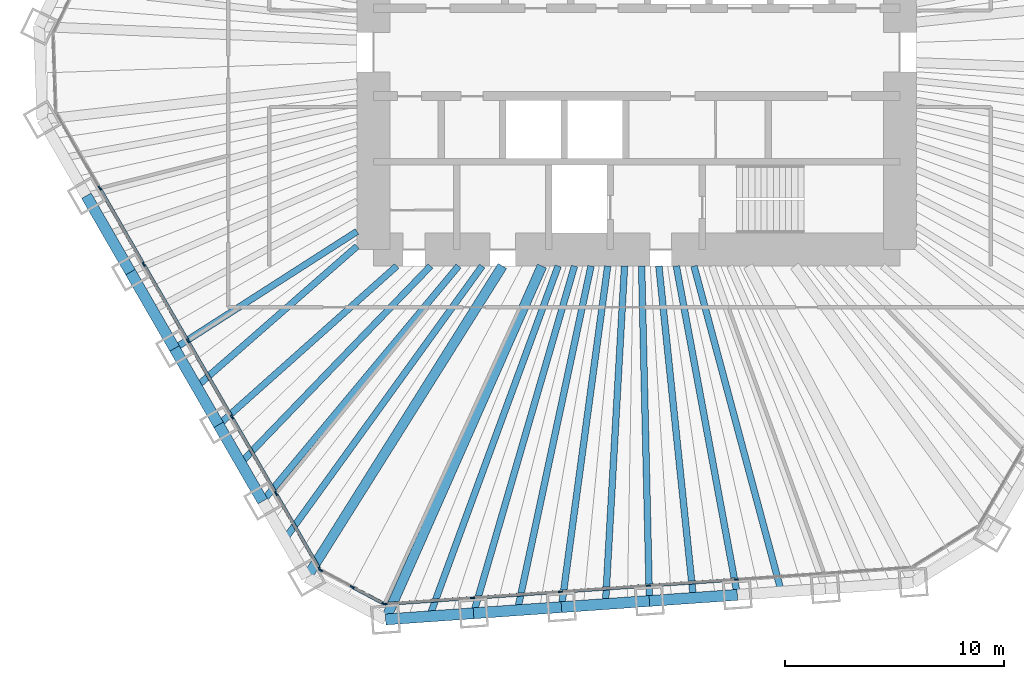
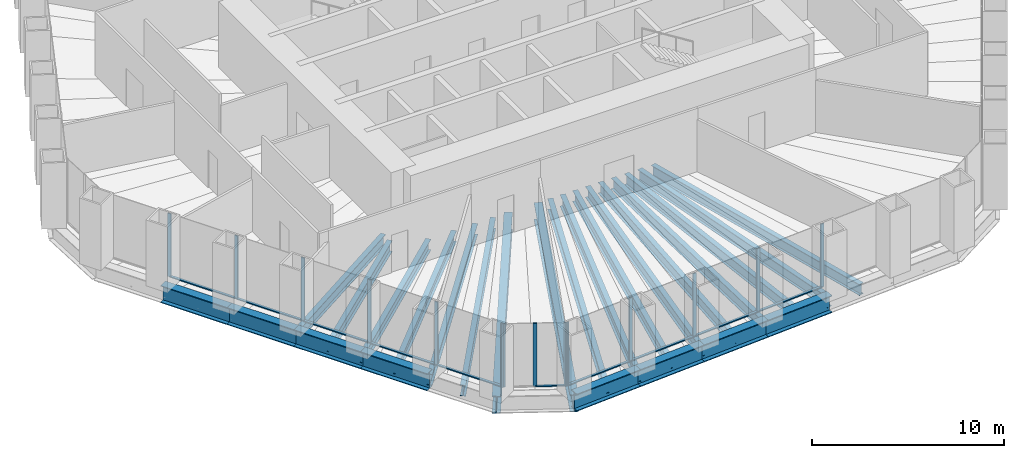
# One storey, part 2 of 13: 25 beams, 24 members, 3 elements without a shape of their own.
"""IFC4 building model written with IfcOpenShell, lengths in metres."""

import ifcopenshell
import ifcopenshell.guid

model = None  # the IFC model being written
_history = None  # IfcOwnerHistory: only IFC2X3 demands one
_inside = {}  # id of a spatial element -> (the spatial element, [elements in it])
_under = {}  # id of a project, library or spatial element -> (it, [spatial elements below it])
_declared = {}  # id of a project -> (the project, [libraries it declares])
_typed = {}  # id of a type object -> (the type object, [elements of that type])
_made_of = {}  # id of a material, layer set ... -> (it, [elements and type objects made of it])


def new_model(schema):
    """Start an empty IFC model of exactly this schema.

    Asked for "IFC4X3", IfcOpenShell would pick the latest addendum, in which some entities
    have other attributes; the version numbers below select the first issue.
    IFC2X3 requires an IfcOwnerHistory on every rooted entity: one is made here for all.
    """
    global model, _history
    if schema == "IFC4X3":
        model = ifcopenshell.file(schema_version=(4, 3, 0, 0))
    else:
        model = ifcopenshell.file(schema=schema)
    _inside.clear()
    _under.clear()
    _declared.clear()
    _typed.clear()
    _made_of.clear()
    _history = None
    if model.schema == "IFC2X3":
        org = make("IfcOrganization", Name="unknown")
        user = make(
            "IfcPersonAndOrganization",
            ThePerson=make("IfcPerson", FamilyName="unknown"),
            TheOrganization=org,
        )
        app = make(
            "IfcApplication",
            ApplicationDeveloper=org,
            Version="unknown",
            ApplicationFullName="unknown",
            ApplicationIdentifier="unknown",
        )
        _history = make(
            "IfcOwnerHistory",
            OwningUser=user,
            OwningApplication=app,
            ChangeAction="ADDED",
            CreationDate=0,
        )
    return model


def make(cls, **values):
    """One entity of the class cls with the attributes given. An attribute that is None is left unset."""
    return model.create_entity(
        cls, **{name: value for name, value in values.items() if value is not None}
    )


def rooted(cls, **values):
    """An entity with a GlobalId (a new one), such as an element, a storey or a relation."""
    return make(cls, GlobalId=ifcopenshell.guid.new(), OwnerHistory=_history, **values)


def si_unit(unit_type, name, prefix=None):
    """IfcSIUnit, for example si_unit("LENGTHUNIT", "METRE", prefix="MILLI")."""
    return make("IfcSIUnit", UnitType=unit_type, Prefix=prefix, Name=name)


def assignment(units):
    """IfcUnitAssignment: the units of a project."""
    return None if units is None else make("IfcUnitAssignment", Units=units)


def point(xyz):
    """IfcCartesianPoint."""
    return None if xyz is None else make("IfcCartesianPoint", Coordinates=xyz)


def direction(xyz):
    """IfcDirection."""
    return None if xyz is None else make("IfcDirection", DirectionRatios=xyz)


def frame(location, z_axis=None, x_axis=None):
    """IfcAxis2Placement3D, a coordinate frame: its origin and axes. An axis left out is left unset."""
    return make(
        "IfcAxis2Placement3D",
        Location=point(location),
        Axis=direction(z_axis),
        RefDirection=direction(x_axis),
    )


def frame_2d(location, x_axis=None):
    """IfcAxis2Placement2D, a coordinate frame in the plane: its origin and x axis."""
    return make(
        "IfcAxis2Placement2D", Location=point(location), RefDirection=direction(x_axis)
    )


def origin():
    """The frame at (0, 0, 0) with its axes left unset."""
    return frame((0.0, 0.0, 0.0))


def origin_2d():
    """The frame at (0, 0) in the plane with its x axis left unset."""
    return frame_2d((0.0, 0.0))


def place(relative_to, where):
    """IfcLocalPlacement: puts the frame where relative to a parent placement (None: the world)."""
    return make(
        "IfcLocalPlacement", PlacementRelTo=relative_to, RelativePlacement=where
    )


def context(
    kind, dimensions, precision=None, world=None, true_north=None, identifier=None
):
    """IfcGeometricRepresentationContext, for example the 3D "Model" context."""
    return make(
        "IfcGeometricRepresentationContext",
        ContextIdentifier=identifier,
        ContextType=kind,
        CoordinateSpaceDimension=dimensions,
        Precision=precision,
        WorldCoordinateSystem=world,
        TrueNorth=true_north,
    )


def subcontext(parent, identifier, kind, view, scale=None):
    """IfcGeometricRepresentationSubContext, for example "Body" below "Model"."""
    return make(
        "IfcGeometricRepresentationSubContext",
        ContextIdentifier=identifier,
        ContextType=kind,
        ParentContext=parent,
        TargetScale=scale,
        TargetView=view,
    )


def project(units=None, contexts=None):
    """IfcProject with its units and contexts."""
    return rooted(
        "IfcProject",
        Name="project",
        RepresentationContexts=contexts,
        UnitsInContext=assignment(units),
    )


def spatial(cls, under=None, at=None, **own):
    """A site, building, storey or space (cls), placed at a placement, below another one or the project."""
    s = rooted(cls, ObjectPlacement=at, **own)
    if under is not None:
        _under.setdefault(under.id(), (under, []))[1].append(s)
    return s


def profile(cls, at=None, kind="AREA", **sizes):
    """A parametric profile (cls). Its sizes go by their IFC names, for example OverallWidth=200.0."""
    return make(cls, ProfileType=kind, Position=at, **sizes)


def rectangle(**sizes):
    """IfcRectangleProfileDef."""
    return profile("IfcRectangleProfileDef", **sizes)


def i_section(**sizes):
    """IfcIShapeProfileDef."""
    return profile("IfcIShapeProfileDef", **sizes)


def extrude(swept, where, along, depth):
    """IfcExtrudedAreaSolid: the profile swept, set in the frame where, extruded along a direction by depth."""
    return make(
        "IfcExtrudedAreaSolid",
        SweptArea=swept,
        Position=where,
        ExtrudedDirection=direction(along),
        Depth=depth,
    )


def shape(context_of_items, identifier, shape_type, items):
    """IfcShapeRepresentation: the items that make up one representation, for example the "Body"."""
    return make(
        "IfcShapeRepresentation",
        ContextOfItems=context_of_items,
        RepresentationIdentifier=identifier,
        RepresentationType=shape_type,
        Items=items,
    )


def material(Name=None, Category=None):
    """IfcMaterial."""
    return make("IfcMaterial", Name=Name, Category=Category)


def material_profile(
    of_material, cross_section, Name=None, Category=None, Priority=None
):
    """IfcMaterialProfile: a cross section and its material."""
    return make(
        "IfcMaterialProfile",
        Name=Name,
        Material=of_material,
        Profile=cross_section,
        Priority=Priority,
        Category=Category,
    )


def profile_set(profiles, Name=None, composite=None):
    """IfcMaterialProfileSet."""
    return make(
        "IfcMaterialProfileSet",
        Name=Name,
        MaterialProfiles=profiles,
        CompositeProfile=composite,
    )


def made_of(thing, what):
    """Note that an element or type object is made of a material, layer set ...; save() writes the relation."""
    if what is not None:
        _made_of.setdefault(what.id(), (what, []))[1].append(thing)
    return thing


def type_object(cls, material=None, **own):
    """A type object (cls), such as IfcWallType, which elements share."""
    return made_of(rooted(cls, **own), material)


def element(
    cls,
    number,
    at=None,
    inside=None,
    cuts=None,
    type_object=None,
    material=None,
    context=None,
    identifier="Body",
    shape_type=None,
    held_by="IfcProductDefinitionShape",
    body=None,
    shapes=None,
    **own,
):
    """One element of the class cls, such as IfcWall. Its Tag is "e" and its number.

    at: its placement. inside: the storey or other place that contains it. cuts: it is an
    opening in that element (IfcRelVoidsElement). A single representation is given by context,
    identifier, shape_type and body (its items); several are given by shapes. held_by: the class
    of the entity that holds the representations. save() writes the other relations.
    """
    e = rooted(cls, Tag="e%d" % number, ObjectPlacement=at, **own)
    if body is not None:
        shapes = [shape(context, identifier, shape_type, body)]
    if shapes is not None:
        e.Representation = make(held_by, Representations=shapes)
    if inside is not None:
        _inside.setdefault(inside.id(), (inside, []))[1].append(e)
    if cuts is not None:
        rooted(
            "IfcRelVoidsElement", RelatingBuildingElement=cuts, RelatedOpeningElement=e
        )
    if type_object is not None:
        _typed.setdefault(type_object.id(), (type_object, []))[1].append(e)
    return made_of(e, material)


def aggregate(whole, parts):
    """IfcRelAggregates: a whole, such as a stair, and the parts it consists of."""
    return rooted("IfcRelAggregates", RelatingObject=whole, RelatedObjects=parts)


def save(model, path):
    """Write the relations noted so far, then the file.

    IfcRelAggregates (storeys below a building ...), IfcRelContainedInSpatialStructure (elements
    in a storey), IfcRelDefinesByType, IfcRelAssociatesMaterial and IfcRelDeclares: one each for
    every whole, place, type object, material and project.
    """
    for whole, parts in _under.values():
        aggregate(whole, parts)
    for where, things in _inside.values():
        rooted(
            "IfcRelContainedInSpatialStructure",
            RelatedElements=things,
            RelatingStructure=where,
        )
    for kind, things in _typed.values():
        rooted("IfcRelDefinesByType", RelatedObjects=things, RelatingType=kind)
    for what, things in _made_of.values():
        rooted("IfcRelAssociatesMaterial", RelatedObjects=things, RelatingMaterial=what)
    for by, libraries in _declared.values():
        rooted("IfcRelDeclares", RelatingContext=by, RelatedDefinitions=libraries)
    model.write(path)


model = new_model("IFC4")

# Units and contexts
model_context = context("Model", 3, precision=1e-05, world=origin(), true_north=direction((0.0, 1.0)))
body_context = subcontext(model_context, "Body", "Model", "MODEL_VIEW")
ifc_project = project(units=[si_unit("LENGTHUNIT", "METRE"), si_unit("AREAUNIT", "SQUARE_METRE"), si_unit("VOLUMEUNIT", "CUBIC_METRE"), si_unit("PLANEANGLEUNIT", "RADIAN"), si_unit("MASSUNIT", "GRAM", prefix="KILO")], contexts=[model_context])

# Site, building, storey
site_placement = place(None, origin())
site = spatial("IfcSite", under=ifc_project, at=site_placement, CompositionType="ELEMENT")
building_placement = place(site_placement, origin())
building = spatial("IfcBuilding", under=site, at=building_placement, Name="Qingtian Harvest Tower", CompositionType="ELEMENT")
storey_placement = place(building_placement, frame((0.0, 0.0, 153.39990234375)))
storey = spatial("IfcBuildingStorey", under=building, at=storey_placement, Name="L32", CompositionType="ELEMENT", Elevation=153.39990234375)

# Beams
ifc_material_1 = material(Name="Steel SM570MC", Category="steel")
ifc_material_profile_1 = material_profile(ifc_material_1, i_section(OverallWidth=0.449951171875, OverallDepth=1.10009765625, WebThickness=0.02197265625, FlangeThickness=0.044921875, at=origin_2d()), Name="H1100x450x22x45")
ifc_profile_set_1 = profile_set([ifc_material_profile_1], Name="Steel SM570MC")
beam_type_1 = type_object("IfcBeamType", Name="Corner floor beam FB8 H1100x450x22x45", PredefinedType="BEAM", material=ifc_profile_set_1)
beam_1_placement = place(storey_placement, frame((-11.445556640625, -25.861328125, -0.719970703125), z_axis=(0.404705702755, 0.914446988161, 0.0), x_axis=(-0.914446988161, 0.404705702755, 0.0)))
element("IfcBeam", 1, at=beam_1_placement, inside=storey, type_object=beam_type_1, Name="Floor beam FB8 S6", PredefinedType="BEAM", context=body_context, shape_type="SweptSolid", body=[
    extrude(i_section(OverallWidth=0.449951171875, OverallDepth=1.10009765625, WebThickness=0.02197265625, FlangeThickness=0.044921875, at=origin_2d()), origin(), (0.0, 0.0, 1.0), 17.61865234375),
])
beam_2_placement = place(storey_placement, frame((-15.039794921875, -23.950439453125, -0.719970703125), z_axis=(0.531797274443, 0.846871689747, 0.0), x_axis=(-0.846871689747, 0.531797274443, 0.0)))
element("IfcBeam", 2, at=beam_2_placement, inside=storey, type_object=beam_type_1, Name="Floor beam FB8 SW0", PredefinedType="BEAM", context=body_context, shape_type="SweptSolid", body=[
    extrude(i_section(OverallWidth=0.449951171875, OverallDepth=1.10009765625, WebThickness=0.02197265625, FlangeThickness=0.044921875, at=origin_2d()), origin(), (0.0, 0.0, 1.0), 16.76806640625),
])
ifc_material_2 = material(Name="Steel SN490B", Category="steel")
ifc_material_profile_2 = material_profile(ifc_material_2, i_section(OverallWidth=0.300048828125, OverallDepth=0.75, WebThickness=0.013916015625, FlangeThickness=0.02490234375, at=origin_2d()), Name="H750x300x14x25")
ifc_profile_set_2 = profile_set([ifc_material_profile_2], Name="Steel SN490B")
beam_type_2 = type_object("IfcBeamType", Name="Floor beam FB12 H750x300x14x25", PredefinedType="BEAM", material=ifc_profile_set_2)
beam_3_placement = place(storey_placement, frame((-7.436279296875, -25.5810546875, -0.544921875), z_axis=(0.279142362954, 0.960249728562, 0.0), x_axis=(-0.960249728562, 0.279142362954, 0.0)))
element("IfcBeam", 3, at=beam_3_placement, inside=storey, type_object=beam_type_2, Name="Floor beam FB12 S5", PredefinedType="BEAM", context=body_context, shape_type="SweptSolid", body=[
    extrude(i_section(OverallWidth=0.300048828125, OverallDepth=0.75, WebThickness=0.013916015625, FlangeThickness=0.02490234375, at=origin_2d()), origin(), (0.0, 0.0, 1.0), 16.486328125),
])
ifc_material_3 = material(Name="Steel SN490B", Category="steel")
ifc_material_profile_3 = material_profile(ifc_material_3, i_section(OverallWidth=0.300048828125, OverallDepth=0.699951171875, WebThickness=0.012939453125, FlangeThickness=0.02392578125, at=origin_2d()), Name="H700x300x13x24")
ifc_profile_set_3 = profile_set([ifc_material_profile_3], Name="Steel SN490B")
beam_type_3 = type_object("IfcBeamType", Name="Floor beam FB2 H700x300x13x24", PredefinedType="BEAM", material=ifc_profile_set_3)
beam_4_placement = place(storey_placement, frame((4.591552734375, -24.739990234375, -0.52001953125), z_axis=(-0.182473442032, 0.983210782565, 0.0), x_axis=(-0.983210782565, -0.182473442032, 0.0)))
element("IfcBeam", 4, at=beam_4_placement, inside=storey, type_object=beam_type_3, Name="Floor beam FB2 S2", PredefinedType="BEAM", context=body_context, shape_type="SweptSolid", body=[
    extrude(i_section(OverallWidth=0.300048828125, OverallDepth=0.699951171875, WebThickness=0.012939453125, FlangeThickness=0.02392578125, at=origin_2d()), origin(), (0.0, 0.0, 1.0), 15.245849609375),
])
beam_5_placement = place(storey_placement, frame((0.582275390625, -25.020263671875, -0.52001953125), z_axis=(-0.023272189962, 0.999729165912, 0.0), x_axis=(-0.999729165912, -0.023272189962, 0.0)))
element("IfcBeam", 5, at=beam_5_placement, inside=storey, type_object=beam_type_3, Name="Floor beam FB2 S3", PredefinedType="BEAM", context=body_context, shape_type="SweptSolid", body=[
    extrude(i_section(OverallWidth=0.300048828125, OverallDepth=0.699951171875, WebThickness=0.012939453125, FlangeThickness=0.02392578125, at=origin_2d()), origin(), (0.0, 0.0, 1.0), 15.2744140625),
])
beam_6_placement = place(storey_placement, frame((-3.427001953125, -25.30078125, -0.52001953125), z_axis=(0.134230066005, 0.990950195207, 0.0), x_axis=(-0.990950195207, 0.134230066005, 0.0)))
element("IfcBeam", 6, at=beam_6_placement, inside=storey, type_object=beam_type_3, Name="Floor beam FB2 S4", PredefinedType="BEAM", context=body_context, shape_type="SweptSolid", body=[
    extrude(i_section(OverallWidth=0.300048828125, OverallDepth=0.699951171875, WebThickness=0.012939453125, FlangeThickness=0.02392578125, at=origin_2d()), origin(), (0.0, 0.0, 1.0), 15.69287109375),
])
beam_7_placement = place(storey_placement, frame((-17.04931640625, -20.4697265625, -0.52001953125), z_axis=(0.639988150605, 0.768384778015, 0.0), x_axis=(-0.768384778015, 0.639988150605, 0.0)))
element("IfcBeam", 7, at=beam_7_placement, inside=storey, type_object=beam_type_3, Name="Floor beam FB2 SW1", PredefinedType="BEAM", context=body_context, shape_type="SweptSolid", body=[
    extrude(i_section(OverallWidth=0.300048828125, OverallDepth=0.699951171875, WebThickness=0.012939453125, FlangeThickness=0.02392578125, at=origin_2d()), origin(), (0.0, 0.0, 1.0), 13.950927734375),
])
beam_8_placement = place(storey_placement, frame((-19.058837890625, -16.989013671875, -0.52001953125), z_axis=(0.746483707908, 0.665403692376, 0.0), x_axis=(-0.665403692376, 0.746483707908, 0.0)))
element("IfcBeam", 8, at=beam_8_placement, inside=storey, type_object=beam_type_3, Name="Floor beam FB2 SW2", PredefinedType="BEAM", context=body_context, shape_type="SweptSolid", body=[
    extrude(i_section(OverallWidth=0.300048828125, OverallDepth=0.699951171875, WebThickness=0.012939453125, FlangeThickness=0.02392578125, at=origin_2d()), origin(), (0.0, 0.0, 1.0), 10.879150390625),
])
beam_9_placement = place(storey_placement, frame((-21.068359375, -13.508544921875, -0.52001953125), z_axis=(0.841823295753, 0.539753220211, 0.0), x_axis=(-0.539753220211, 0.841823295753, 0.0)))
element("IfcBeam", 9, at=beam_9_placement, inside=storey, type_object=beam_type_3, Name="Floor beam FB2 SW3", PredefinedType="BEAM", context=body_context, shape_type="SweptSolid", body=[
    extrude(i_section(OverallWidth=0.300048828125, OverallDepth=0.699951171875, WebThickness=0.012939453125, FlangeThickness=0.02392578125, at=origin_2d()), origin(), (0.0, 0.0, 1.0), 9.88134765625),
])
ifc_material_4 = material(Name="Steel SN490B", Category="steel")
ifc_material_profile_4 = material_profile(ifc_material_4, i_section(OverallWidth=0.300048828125, OverallDepth=0.699951171875, WebThickness=0.012939453125, FlangeThickness=0.02392578125, at=origin_2d()), Name="H700x300x13x24")
ifc_profile_set_4 = profile_set([ifc_material_profile_4], Name="Steel SN490B")
beam_type_4 = type_object("IfcBeamType", Name="Floor joist J2 H700x300x13x24", PredefinedType="JOIST", material=ifc_profile_set_4)
beam_10_placement = place(storey_placement, frame((6.59619140625, -24.599853515625, -0.52001953125), z_axis=(-0.258996688759, 0.965878209306, 0.0), x_axis=(-0.965878209306, -0.258996688759, 0.0)))
element("IfcBeam", 10, at=beam_10_placement, inside=storey, type_object=beam_type_4, Name="Floor joist J2 S1", PredefinedType="JOIST", context=body_context, shape_type="SweptSolid", body=[
    extrude(i_section(OverallWidth=0.300048828125, OverallDepth=0.699951171875, WebThickness=0.012939453125, FlangeThickness=0.02392578125, at=origin_2d()), origin(), (0.0, 0.0, 1.0), 15.37451171875),
])
beam_11_placement = place(storey_placement, frame((2.5869140625, -24.880126953125, -0.52001953125), z_axis=(-0.103423163361, 0.994637446148, 0.0), x_axis=(-0.994637446148, -0.103423163361, 0.0)))
element("IfcBeam", 11, at=beam_11_placement, inside=storey, type_object=beam_type_4, Name="Floor joist J2 S2", PredefinedType="JOIST", context=body_context, shape_type="SweptSolid", body=[
    extrude(i_section(OverallWidth=0.300048828125, OverallDepth=0.699951171875, WebThickness=0.012939453125, FlangeThickness=0.02392578125, at=origin_2d()), origin(), (0.0, 0.0, 1.0), 15.211669921875),
])
beam_12_placement = place(storey_placement, frame((-1.42236328125, -25.160400390625, -0.52001953125), z_axis=(0.05643626267, 0.998406204035, 0.0), x_axis=(-0.998406204035, 0.05643626267, 0.0)))
element("IfcBeam", 12, at=beam_12_placement, inside=storey, type_object=beam_type_4, Name="Floor joist J2 S3", PredefinedType="JOIST", context=body_context, shape_type="SweptSolid", body=[
    extrude(i_section(OverallWidth=0.300048828125, OverallDepth=0.699951171875, WebThickness=0.012939453125, FlangeThickness=0.02392578125, at=origin_2d()), origin(), (0.0, 0.0, 1.0), 15.43505859375),
])
beam_13_placement = place(storey_placement, frame((-5.431640625, -25.44091796875, -0.52001953125), z_axis=(0.208799533611, 0.977958462699, 0.0), x_axis=(-0.977958462699, 0.208799533611, 0.0)))
element("IfcBeam", 13, at=beam_13_placement, inside=storey, type_object=beam_type_4, Name="Floor joist J2 S4", PredefinedType="JOIST", context=body_context, shape_type="SweptSolid", body=[
    extrude(i_section(OverallWidth=0.300048828125, OverallDepth=0.699951171875, WebThickness=0.012939453125, FlangeThickness=0.02392578125, at=origin_2d()), origin(), (0.0, 0.0, 1.0), 16.044677734375),
])
beam_14_placement = place(storey_placement, frame((-9.44091796875, -25.72119140625, -0.52001953125), z_axis=(0.344563279886, 0.938763093732, 0.0), x_axis=(-0.938763093732, 0.344563279886, 0.0)))
element("IfcBeam", 14, at=beam_14_placement, inside=storey, type_object=beam_type_4, Name="Floor joist J2 S5", PredefinedType="JOIST", context=body_context, shape_type="SweptSolid", body=[
    extrude(i_section(OverallWidth=0.300048828125, OverallDepth=0.699951171875, WebThickness=0.012939453125, FlangeThickness=0.02392578125, at=origin_2d()), origin(), (0.0, 0.0, 1.0), 17.012939453125),
])
beam_15_placement = place(storey_placement, frame((-16.04443359375, -22.2099609375, -0.52001953125), z_axis=(0.585581016658, 0.810613886465, 0.0), x_axis=(-0.810613886465, 0.585581016658, 0.0)))
element("IfcBeam", 15, at=beam_15_placement, inside=storey, type_object=beam_type_4, Name="Floor joist J2 SW0", PredefinedType="JOIST", context=body_context, shape_type="SweptSolid", body=[
    extrude(i_section(OverallWidth=0.300048828125, OverallDepth=0.699951171875, WebThickness=0.012939453125, FlangeThickness=0.02392578125, at=origin_2d()), origin(), (0.0, 0.0, 1.0), 15.37109375),
])
beam_16_placement = place(storey_placement, frame((-18.053955078125, -18.7294921875, -0.52001953125), z_axis=(0.693999346894, 0.719975629108, 0.0), x_axis=(-0.719975629108, 0.693999346894, 0.0)))
element("IfcBeam", 16, at=beam_16_placement, inside=storey, type_object=beam_type_4, Name="Floor joist J2 SW1", PredefinedType="JOIST", context=body_context, shape_type="SweptSolid", body=[
    extrude(i_section(OverallWidth=0.300048828125, OverallDepth=0.699951171875, WebThickness=0.012939453125, FlangeThickness=0.02392578125, at=origin_2d()), origin(), (0.0, 0.0, 1.0), 12.471923828125),
])
beam_17_placement = place(storey_placement, frame((-20.063720703125, -15.248779296875, -0.52001953125), z_axis=(0.752618713562, 0.658456583228, 0.0), x_axis=(-0.658456583228, 0.752618713562, 0.0)))
element("IfcBeam", 17, at=beam_17_placement, inside=storey, type_object=beam_type_4, Name="Floor joist J2 SW2", PredefinedType="JOIST", context=body_context, shape_type="SweptSolid", body=[
    extrude(i_section(OverallWidth=0.300048828125, OverallDepth=0.699951171875, WebThickness=0.012939453125, FlangeThickness=0.02392578125, at=origin_2d()), origin(), (0.0, 0.0, 1.0), 9.7177734375),
])

# Curtain wall, members
ifc_material_5 = material(Name="Bronze-anodised aluminium curtain wall", Category="aluminium")
curtain_wall_type = type_object("IfcCurtainWallType", Name="Curtain wall CW4 office", PredefinedType="USERDEFINED", material=ifc_material_5)
curtain_wall_1_placement = place(storey_placement, origin())
curtain_wall_1 = element("IfcCurtainWall", 18, at=curtain_wall_1_placement, inside=storey, type_object=curtain_wall_type, Name="Curtain wall CW4 L32 S0-5", ObjectType="RECESSED CURTAIN WALL", PredefinedType="USERDEFINED")
ifc_material_6 = material(Name="Bronze-anodised aluminium mullion", Category="aluminium")
ifc_material_profile_5 = material_profile(ifc_material_6, rectangle(XDim=0.06494140625, YDim=0.199951171875, at=origin_2d()), Name="AL 65x200")
ifc_profile_set_5 = profile_set([ifc_material_profile_5], Name="Bronze-anodised aluminium mullion")
member_type_1 = type_object("IfcMemberType", Name="Mullion CWM 65x200", PredefinedType="MULLION", material=ifc_profile_set_5)
member_1_placement = place(storey_placement, frame((4.542724609375, -24.041748046875, 0.0), z_axis=(0.0, 0.0, 1.0), x_axis=(0.069756473744, -0.99756405026, 0.0)))
member_1 = element("IfcMember", 19, at=member_1_placement, type_object=member_type_1, Name="CW4 mullion 3", PredefinedType="MULLION", context=body_context, shape_type="SweptSolid", body=[
    extrude(rectangle(XDim=0.06494140625, YDim=0.199951171875, at=origin_2d()), origin(), (0.0, 0.0, 1.0), 4.030029296875),
])
member_2_placement = place(storey_placement, frame((0.533447265625, -24.322021484375, 0.0), z_axis=(0.0, 0.0, 1.0), x_axis=(0.069756473744, -0.99756405026, 0.0)))
member_2 = element("IfcMember", 20, at=member_2_placement, type_object=member_type_1, Name="CW4 mullion 4", PredefinedType="MULLION", context=body_context, shape_type="SweptSolid", body=[
    extrude(rectangle(XDim=0.06494140625, YDim=0.199951171875, at=origin_2d()), origin(), (0.0, 0.0, 1.0), 4.030029296875),
])
member_3_placement = place(storey_placement, frame((-3.475830078125, -24.602294921875, 0.0), z_axis=(0.0, 0.0, 1.0), x_axis=(0.069756473744, -0.99756405026, 0.0)))
member_3 = element("IfcMember", 21, at=member_3_placement, type_object=member_type_1, Name="CW4 mullion 5", PredefinedType="MULLION", context=body_context, shape_type="SweptSolid", body=[
    extrude(rectangle(XDim=0.06494140625, YDim=0.199951171875, at=origin_2d()), origin(), (0.0, 0.0, 1.0), 4.030029296875),
])
member_4_placement = place(storey_placement, frame((-7.485107421875, -24.8828125, 0.0), z_axis=(0.0, 0.0, 1.0), x_axis=(0.069756473744, -0.99756405026, 0.0)))
member_4 = element("IfcMember", 22, at=member_4_placement, type_object=member_type_1, Name="CW4 mullion 6", PredefinedType="MULLION", context=body_context, shape_type="SweptSolid", body=[
    extrude(rectangle(XDim=0.06494140625, YDim=0.199951171875, at=origin_2d()), origin(), (0.0, 0.0, 1.0), 4.030029296875),
])
member_5_placement = place(storey_placement, frame((-11.4619140625, -25.160888671875, 0.0), z_axis=(0.0, 0.0, 1.0), x_axis=(0.069756473744, -0.99756405026, 0.0)))
member_5 = element("IfcMember", 23, at=member_5_placement, type_object=member_type_1, Name="CW4 mullion 7", PredefinedType="MULLION", context=body_context, shape_type="SweptSolid", body=[
    extrude(rectangle(XDim=0.06494140625, YDim=0.199951171875, at=origin_2d()), origin(), (0.0, 0.0, 1.0), 4.030029296875),
])

curtain_wall_2_placement = place(storey_placement, origin())
curtain_wall_2 = element("IfcCurtainWall", 24, at=curtain_wall_2_placement, inside=storey, type_object=curtain_wall_type, Name="Curtain wall CW4 L32 SC", ObjectType="RECESSED CURTAIN WALL", PredefinedType="USERDEFINED")
member_6_placement = place(storey_placement, frame((-11.523193359375, -25.14794921875, 0.0), z_axis=(0.0, 0.0, 1.0), x_axis=(-0.469471562786, -0.882947592859, 0.0)))
member_6 = element("IfcMember", 25, at=member_6_placement, type_object=member_type_1, Name="CW4 mullion 1", PredefinedType="MULLION", context=body_context, shape_type="SweptSolid", body=[
    extrude(rectangle(XDim=0.06494140625, YDim=0.199951171875, at=origin_2d()), origin(), (0.0, 0.0, 1.0), 4.030029296875),
])
member_7_placement = place(storey_placement, frame((-12.964111328125, -24.3818359375, 0.0), z_axis=(0.0, 0.0, 1.0), x_axis=(-0.469471562786, -0.882947592859, 0.0)))
member_7 = element("IfcMember", 26, at=member_7_placement, type_object=member_type_1, Name="CW4 mullion 2", PredefinedType="MULLION", context=body_context, shape_type="SweptSolid", body=[
    extrude(rectangle(XDim=0.06494140625, YDim=0.199951171875, at=origin_2d()), origin(), (0.0, 0.0, 1.0), 4.030029296875),
])
member_8_placement = place(storey_placement, frame((-14.40478515625, -23.61572265625, 0.0), z_axis=(0.0, 0.0, 1.0), x_axis=(-0.469471562786, -0.882947592859, 0.0)))
member_8 = element("IfcMember", 27, at=member_8_placement, type_object=member_type_1, Name="CW4 mullion 3", PredefinedType="MULLION", context=body_context, shape_type="SweptSolid", body=[
    extrude(rectangle(XDim=0.06494140625, YDim=0.199951171875, at=origin_2d()), origin(), (0.0, 0.0, 1.0), 4.030029296875),
])

curtain_wall_3_placement = place(storey_placement, origin())
curtain_wall_3 = element("IfcCurtainWall", 28, at=curtain_wall_3_placement, inside=storey, type_object=curtain_wall_type, Name="Curtain wall CW4 L32 SW0-5", ObjectType="RECESSED CURTAIN WALL", PredefinedType="USERDEFINED")
member_9_placement = place(storey_placement, frame((-14.44970703125, -23.572265625, 0.0), z_axis=(0.0, 0.0, 1.0), x_axis=(-0.866025403784, -0.5, 0.0)))
member_9 = element("IfcMember", 29, at=member_9_placement, type_object=member_type_1, Name="CW4 mullion 1", PredefinedType="MULLION", context=body_context, shape_type="SweptSolid", body=[
    extrude(rectangle(XDim=0.06494140625, YDim=0.199951171875, at=origin_2d()), origin(), (0.0, 0.0, 1.0), 4.030029296875),
])
member_10_placement = place(storey_placement, frame((-16.443115234375, -20.11962890625, 0.0), z_axis=(0.0, 0.0, 1.0), x_axis=(-0.866025403784, -0.5, 0.0)))
member_10 = element("IfcMember", 30, at=member_10_placement, type_object=member_type_1, Name="CW4 mullion 2", PredefinedType="MULLION", context=body_context, shape_type="SweptSolid", body=[
    extrude(rectangle(XDim=0.06494140625, YDim=0.199951171875, at=origin_2d()), origin(), (0.0, 0.0, 1.0), 4.030029296875),
])
member_11_placement = place(storey_placement, frame((-18.45263671875, -16.63916015625, 0.0), z_axis=(0.0, 0.0, 1.0), x_axis=(-0.866025403784, -0.5, 0.0)))
member_11 = element("IfcMember", 31, at=member_11_placement, type_object=member_type_1, Name="CW4 mullion 3", PredefinedType="MULLION", context=body_context, shape_type="SweptSolid", body=[
    extrude(rectangle(XDim=0.06494140625, YDim=0.199951171875, at=origin_2d()), origin(), (0.0, 0.0, 1.0), 4.030029296875),
])
member_12_placement = place(storey_placement, frame((-20.462158203125, -13.158447265625, 0.0), z_axis=(0.0, 0.0, 1.0), x_axis=(-0.866025403784, -0.5, 0.0)))
member_12 = element("IfcMember", 32, at=member_12_placement, type_object=member_type_1, Name="CW4 mullion 4", PredefinedType="MULLION", context=body_context, shape_type="SweptSolid", body=[
    extrude(rectangle(XDim=0.06494140625, YDim=0.199951171875, at=origin_2d()), origin(), (0.0, 0.0, 1.0), 4.030029296875),
])
member_13_placement = place(storey_placement, frame((-22.4716796875, -9.677978515625, 0.0), z_axis=(0.0, 0.0, 1.0), x_axis=(-0.866025403784, -0.5, 0.0)))
member_13 = element("IfcMember", 33, at=member_13_placement, type_object=member_type_1, Name="CW4 mullion 5", PredefinedType="MULLION", context=body_context, shape_type="SweptSolid", body=[
    extrude(rectangle(XDim=0.06494140625, YDim=0.199951171875, at=origin_2d()), origin(), (0.0, 0.0, 1.0), 4.030029296875),
])
member_14_placement = place(storey_placement, frame((-24.481201171875, -6.197265625, 0.0), z_axis=(0.0, 0.0, 1.0), x_axis=(-0.866025403784, -0.5, 0.0)))
member_14 = element("IfcMember", 34, at=member_14_placement, type_object=member_type_1, Name="CW4 mullion 6", PredefinedType="MULLION", context=body_context, shape_type="SweptSolid", body=[
    extrude(rectangle(XDim=0.06494140625, YDim=0.199951171875, at=origin_2d()), origin(), (0.0, 0.0, 1.0), 4.030029296875),
])

# Beams
ifc_material_7 = material(Name="Steel SM570MC", Category="steel")
ifc_material_profile_6 = material_profile(ifc_material_7, i_section(OverallWidth=0.5, OverallDepth=1.10009765625, WebThickness=0.02490234375, FlangeThickness=0.050048828125, at=origin_2d()), Name="H1100x500x25x50")
ifc_profile_set_6 = profile_set([ifc_material_profile_6], Name="Steel SM570MC")
beam_type_5 = type_object("IfcBeamType", Name="Spandrel beam SB2 H1100x500x25x50", PredefinedType="SPANDREL", material=ifc_profile_set_6)
for number, where, z_axis, x_axis, name in (
    (35, (4.591552734375, -24.739990234375, -0.5498046875), (-0.997565479251, -0.069736035208, 0.0), (0.069736035208, -0.997565479251, 0.0), "Spandrel SB2 S2"),
    (36, (0.582275390625, -25.020263671875, -0.5498046875), (-0.997561251588, -0.069796485086, 0.0), (0.069796485086, -0.997561251588, 0.0), "Spandrel SB2 S3"),
    (37, (-3.427001953125, -25.30078125, -0.5498046875), (-0.997565479251, -0.069736035208, 0.0), (0.069736035208, -0.997565479251, 0.0), "Spandrel SB2 S4"),
    (38, (-7.436279296875, -25.5810546875, -0.5498046875), (-0.997565479251, -0.069736035208, 0.0), (0.069736035208, -0.997565479251, 0.0), "Spandrel SB2 S5"),
    (39, (-17.04931640625, -20.4697265625, -0.5498046875), (-0.499987116613, 0.866032841884, 0.0), (-0.866032841884, -0.499987116613, 0.0), "Spandrel SB2 SW1"),
    (40, (-19.058837890625, -16.989013671875, -0.5498046875), (-0.500013420409, 0.866017655369, 0.0), (-0.866017655369, -0.500013420409, 0.0), "Spandrel SB2 SW2"),
    (41, (-21.068359375, -13.508544921875, -0.5498046875), (-0.499987116613, 0.866032841884, 0.0), (-0.866032841884, -0.499987116613, 0.0), "Spandrel SB2 SW3"),
    (42, (-23.077880859375, -10.02783203125, -0.5498046875), (-0.499987116613, 0.866032841884, 0.0), (-0.866032841884, -0.499987116613, 0.0), "Spandrel SB2 SW4"),
):
    element("IfcBeam", number, at=place(storey_placement, frame(where, z_axis=z_axis, x_axis=x_axis)), inside=storey, type_object=beam_type_5, Name=name, PredefinedType="SPANDREL", context=body_context, shape_type="SweptSolid", body=[
        extrude(i_section(OverallWidth=0.5, OverallDepth=1.10009765625, WebThickness=0.02490234375, FlangeThickness=0.050048828125, at=origin_2d()), origin(), (0.0, 0.0, 1.0), 4.01904296875),
    ])

# Member
ifc_material_8 = material(Name="Bronze-anodised aluminium transom", Category="aluminium")
ifc_material_profile_7 = material_profile(ifc_material_8, rectangle(XDim=0.14990234375, YDim=0.06494140625, at=origin_2d()), Name="AL 65x150")
ifc_profile_set_7 = profile_set([ifc_material_profile_7], Name="Bronze-anodised aluminium transom")
member_type_2 = type_object("IfcMemberType", Name="Transom CWT 65x150", PredefinedType="USERDEFINED", material=ifc_profile_set_7)
member_15_placement = place(storey_placement, frame((4.51025390625, -24.0439453125, 0.03271484375), z_axis=(-0.997562922571, -0.069772598571, 0.0), x_axis=(0.069772598571, -0.997562922571, 0.0)))
member_15 = element("IfcMember", 43, at=member_15_placement, type_object=member_type_2, Name="CW4 transom 3.1", ObjectType="TRANSOM", PredefinedType="USERDEFINED", context=body_context, shape_type="SweptSolid", body=[
    extrude(rectangle(XDim=0.14990234375, YDim=0.06494140625, at=origin_2d()), origin(), (0.0, 0.0, 1.0), 3.953857421875),
])

member_16_placement = place(storey_placement, frame((0.5009765625, -24.32421875, 0.03271484375), z_axis=(-0.997562922571, -0.069772598571, 0.0), x_axis=(0.069772598571, -0.997562922571, 0.0)))
member_16 = element("IfcMember", 44, at=member_16_placement, type_object=member_type_2, Name="CW4 transom 4.1", ObjectType="TRANSOM", PredefinedType="USERDEFINED", context=body_context, shape_type="SweptSolid", body=[
    extrude(rectangle(XDim=0.14990234375, YDim=0.06494140625, at=origin_2d()), origin(), (0.0, 0.0, 1.0), 3.953857421875),
])

member_17_placement = place(storey_placement, frame((-3.50830078125, -24.604736328125, 0.03271484375), z_axis=(-0.997567218353, -0.069711153102, 0.0), x_axis=(0.069711153102, -0.997567218353, 0.0)))
member_17 = element("IfcMember", 45, at=member_17_placement, type_object=member_type_2, Name="CW4 transom 5.1", ObjectType="TRANSOM", PredefinedType="USERDEFINED", context=body_context, shape_type="SweptSolid", body=[
    extrude(rectangle(XDim=0.14990234375, YDim=0.06494140625, at=origin_2d()), origin(), (0.0, 0.0, 1.0), 3.953857421875),
])

member_18_placement = place(storey_placement, frame((-7.517578125, -24.885009765625, 0.03271484375), z_axis=(-0.997561915105, -0.069787001175, 0.0), x_axis=(0.069787001175, -0.997561915105, 0.0)))
member_18 = element("IfcMember", 46, at=member_18_placement, type_object=member_type_2, Name="CW4 transom 6.1", ObjectType="TRANSOM", PredefinedType="USERDEFINED", context=body_context, shape_type="SweptSolid", body=[
    extrude(rectangle(XDim=0.14990234375, YDim=0.06494140625, at=origin_2d()), origin(), (0.0, 0.0, 1.0), 3.921630859375),
])

aggregate(curtain_wall_1, [member_1, member_2, member_3, member_4, member_5, member_15, member_16, member_17, member_18])

member_19_placement = place(storey_placement, frame((-11.5517578125, -25.132568359375, 0.03271484375), z_axis=(-0.882960338349, 0.46944759122, 0.0), x_axis=(-0.46944759122, -0.882960338349, 0.0)))
member_19 = element("IfcMember", 47, at=member_19_placement, type_object=member_type_2, Name="CW4 transom 1.1", ObjectType="TRANSOM", PredefinedType="USERDEFINED", context=body_context, shape_type="SweptSolid", body=[
    extrude(rectangle(XDim=0.14990234375, YDim=0.06494140625, at=origin_2d()), origin(), (0.0, 0.0, 1.0), 1.56689453125),
])

aggregate(curtain_wall_2, [member_6, member_7, member_8, member_19])

member_20_placement = place(storey_placement, frame((-14.466064453125, -23.5439453125, 0.03271484375), z_axis=(-0.500002696854, 0.866023846749, 0.0), x_axis=(-0.866023846749, -0.500002696854, 0.0)))
member_20 = element("IfcMember", 48, at=member_20_placement, type_object=member_type_2, Name="CW4 transom 1.1", ObjectType="TRANSOM", PredefinedType="USERDEFINED", context=body_context, shape_type="SweptSolid", body=[
    extrude(rectangle(XDim=0.14990234375, YDim=0.06494140625, at=origin_2d()), origin(), (0.0, 0.0, 1.0), 3.92138671875),
])

member_21_placement = place(storey_placement, frame((-16.459228515625, -20.091552734375, 0.03271484375), z_axis=(-0.500003941941, 0.866023127892, 0.0), x_axis=(-0.866023127892, -0.500003941941, 0.0)))
member_21 = element("IfcMember", 49, at=member_21_placement, type_object=member_type_2, Name="CW4 transom 2.1", ObjectType="TRANSOM", PredefinedType="USERDEFINED", context=body_context, shape_type="SweptSolid", body=[
    extrude(rectangle(XDim=0.14990234375, YDim=0.06494140625, at=origin_2d()), origin(), (0.0, 0.0, 1.0), 3.9541015625),
])

member_22_placement = place(storey_placement, frame((-18.468994140625, -16.611083984375, 0.03271484375), z_axis=(-0.49993089783, 0.866065296265, 0.0), x_axis=(-0.866065296265, -0.49993089783, 0.0)))
member_22 = element("IfcMember", 50, at=member_22_placement, type_object=member_type_2, Name="CW4 transom 3.1", ObjectType="TRANSOM", PredefinedType="USERDEFINED", context=body_context, shape_type="SweptSolid", body=[
    extrude(rectangle(XDim=0.14990234375, YDim=0.06494140625, at=origin_2d()), origin(), (0.0, 0.0, 1.0), 3.9541015625),
])

member_23_placement = place(storey_placement, frame((-20.478515625, -13.13037109375, 0.03271484375), z_axis=(-0.500003941941, 0.866023127892, 0.0), x_axis=(-0.866023127892, -0.500003941941, 0.0)))
member_23 = element("IfcMember", 51, at=member_23_placement, type_object=member_type_2, Name="CW4 transom 4.1", ObjectType="TRANSOM", PredefinedType="USERDEFINED", context=body_context, shape_type="SweptSolid", body=[
    extrude(rectangle(XDim=0.14990234375, YDim=0.06494140625, at=origin_2d()), origin(), (0.0, 0.0, 1.0), 3.9541015625),
])

member_24_placement = place(storey_placement, frame((-22.488037109375, -9.649658203125, 0.03271484375), z_axis=(-0.500003941941, 0.866023127892, 0.0), x_axis=(-0.866023127892, -0.500003941941, 0.0)))
member_24 = element("IfcMember", 52, at=member_24_placement, type_object=member_type_2, Name="CW4 transom 5.1", ObjectType="TRANSOM", PredefinedType="USERDEFINED", context=body_context, shape_type="SweptSolid", body=[
    extrude(rectangle(XDim=0.14990234375, YDim=0.06494140625, at=origin_2d()), origin(), (0.0, 0.0, 1.0), 3.9541015625),
])

aggregate(curtain_wall_3, [member_9, member_10, member_11, member_12, member_13, member_14, member_20, member_21, member_22, member_23, member_24])

save(model, "model.ifc")
